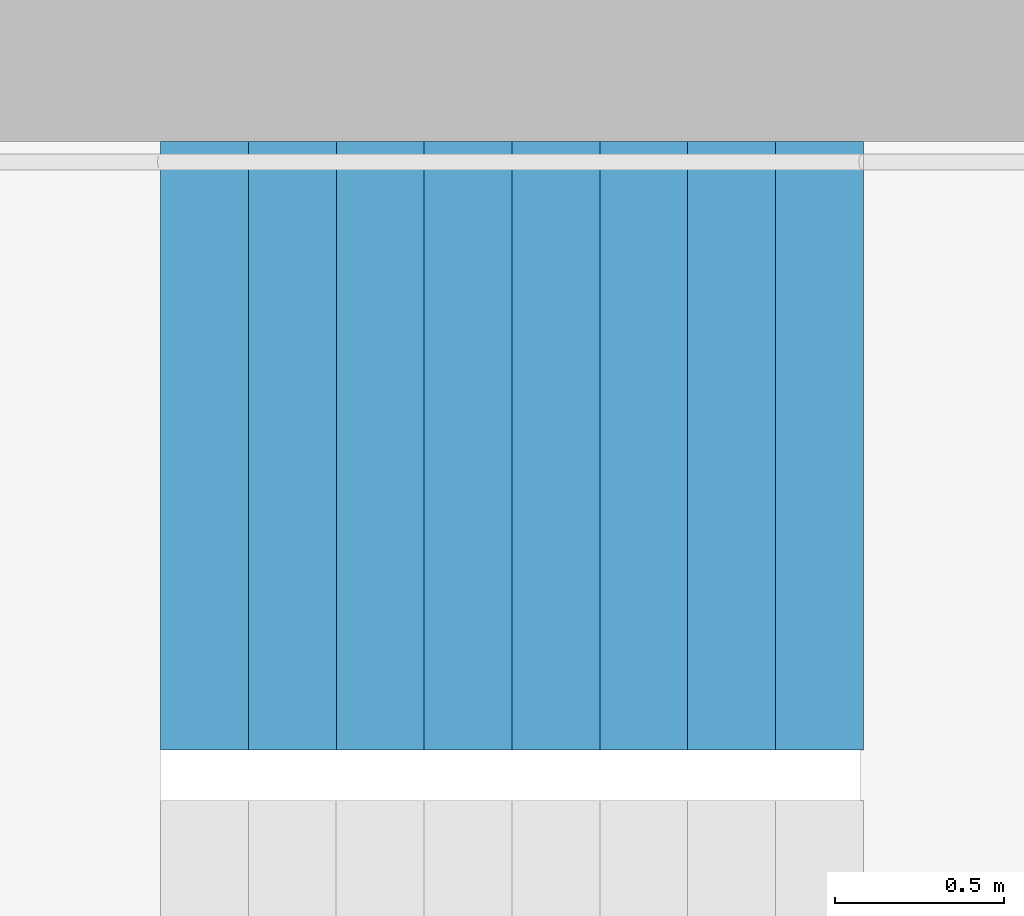
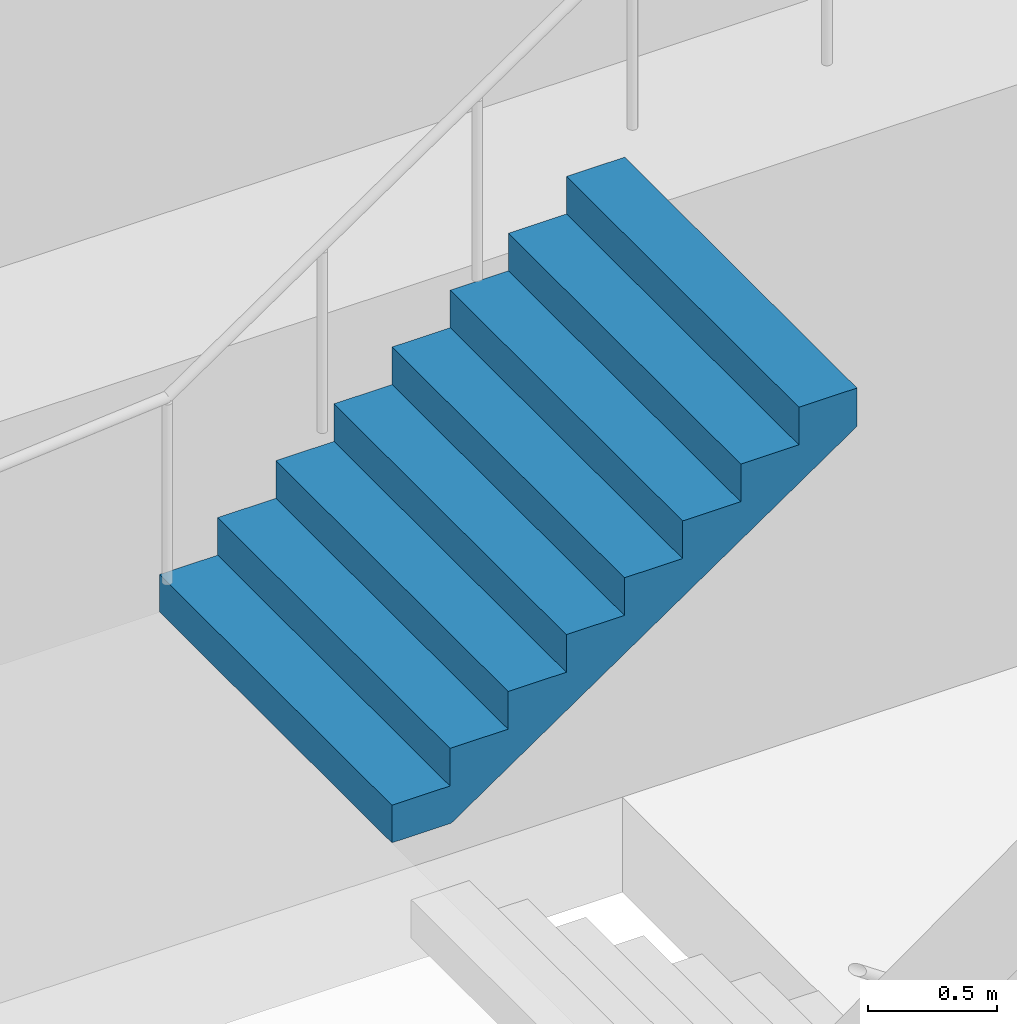
# One storey, part 24 of 29: 1 stair flight, 1 element without a shape of its own.
"""IFC4 building model written with IfcOpenShell, lengths in metres."""

from ifc_helpers import new_model, si_unit, direction, frame, origin, place, context, subcontext, project, spatial, triangles, material, type_object, element, aggregate, save


model = new_model("IFC4")

# Units and contexts
model_context = context("Model", 3, precision=1e-05, world=origin(), true_north=direction((0.0, 1.0)))
body_context = subcontext(model_context, "Body", "Model", "MODEL_VIEW")
ifc_project = project(units=[si_unit("LENGTHUNIT", "METRE"), si_unit("AREAUNIT", "SQUARE_METRE"), si_unit("VOLUMEUNIT", "CUBIC_METRE"), si_unit("PLANEANGLEUNIT", "RADIAN"), si_unit("MASSUNIT", "GRAM", prefix="KILO")], contexts=[model_context])

# Site, building, storey
site_placement = place(None, origin())
site = spatial("IfcSite", under=ifc_project, at=site_placement, CompositionType="ELEMENT")
building_placement = place(site_placement, origin())
building = spatial("IfcBuilding", under=site, at=building_placement, Name="Hakoniwa Tower and Hamabe Station Hall", CompositionType="ELEMENT")
storey_placement = place(building_placement, frame((0.0, 0.0, 205.800048828125)))
storey = spatial("IfcBuildingStorey", under=building, at=storey_placement, Name="L58", CompositionType="ELEMENT", Elevation=205.800048828125)

# Stair, stair flight
ifc_material_1 = material(Name="Concrete C40", Category="concrete")
stair_type = type_object("IfcStairType", Name="ESCAPE STAIR 1800", PredefinedType="HALF_TURN_STAIR", material=ifc_material_1)
stair_placement = place(storey_placement, origin())
stair = element("IfcStair", 1, at=stair_placement, inside=storey, type_object=stair_type, Name="Escape stair ST-3 L58", PredefinedType="HALF_TURN_STAIR")
ifc_material_2 = material(Name="Concrete C40", Category="concrete")
stair_flight_type = type_object("IfcStairFlightType", Name="STAIR FLIGHT 1800", PredefinedType="STRAIGHT", material=ifc_material_2)
stair_flight_placement = place(storey_placement, frame((22.320068359375, 6.60009765625, 1.599853515625), z_axis=(0.0, 0.0, 1.0), x_axis=(1.0, 0.0, 0.0)))
stair_flight = element("IfcStairFlight", 2, at=stair_flight_placement, type_object=stair_flight_type, Name="ST-3 flight 2", NumberOfRisers=9, NumberOfTreads=8, PredefinedType="STRAIGHT", RiserHeight=0.177777778, TreadLength=0.26, context=body_context, shape_type="Tessellation", body=[
    triangles([(0.0, 0.89990234375, 0.0), (0.260009765625, 0.89990234375, 0.0), (0.265625, 0.89990234375, 0.0), (0.52001953125, 0.89990234375, 0.174072265625), (0.780029296875, 0.89990234375, 0.351806640625), (1.0400390625, 0.89990234375, 0.529541015625), (1.300048828125, 0.89990234375, 0.707275390625), (1.56005859375, 0.89990234375, 0.885009765625), (1.820068359375, 0.89990234375, 1.062744140625), (2.080078125, 0.89990234375, 1.24072265625), (2.080078125, 0.89990234375, 1.422119140625), (1.820068359375, 0.89990234375, 1.422119140625), (1.820068359375, 0.89990234375, 1.244384765625), (1.56005859375, 0.89990234375, 1.244384765625), (1.56005859375, 0.89990234375, 1.066650390625), (1.300048828125, 0.89990234375, 1.066650390625), (1.300048828125, 0.89990234375, 0.888916015625), (1.0400390625, 0.89990234375, 0.888916015625), (1.0400390625, 0.89990234375, 0.711181640625), (0.780029296875, 0.89990234375, 0.711181640625), (0.780029296875, 0.89990234375, 0.533447265625), (0.52001953125, 0.89990234375, 0.533447265625), (0.52001953125, 0.89990234375, 0.35546875), (0.265625, 0.89990234375, 0.35546875), (0.260009765625, 0.89990234375, 0.35546875), (0.260009765625, 0.89990234375, 0.177734375), (0.0, 0.89990234375, 0.177734375), (0.0, 0.06005859375, 0.0), (0.260009765625, 0.06005859375, 0.0), (0.265625, 0.06005859375, 0.0), (0.52001953125, 0.06005859375, 0.174072265625), (0.780029296875, 0.06005859375, 0.351806640625), (1.0400390625, 0.06005859375, 0.529541015625), (1.300048828125, 0.06005859375, 0.707275390625), (1.56005859375, 0.06005859375, 0.885009765625), (1.820068359375, 0.06005859375, 1.062744140625), (2.080078125, 0.06005859375, 1.24072265625), (2.080078125, 0.06005859375, 1.422119140625), (1.820068359375, 0.06005859375, 1.422119140625), (1.820068359375, 0.06005859375, 1.244384765625), (1.56005859375, 0.06005859375, 1.244384765625), (1.56005859375, 0.06005859375, 1.066650390625), (1.300048828125, 0.06005859375, 1.066650390625), (1.300048828125, 0.06005859375, 0.888916015625), (1.0400390625, 0.06005859375, 0.888916015625), (1.0400390625, 0.06005859375, 0.711181640625), (0.780029296875, 0.06005859375, 0.711181640625), (0.780029296875, 0.06005859375, 0.533447265625), (0.52001953125, 0.06005859375, 0.533447265625), (0.52001953125, 0.06005859375, 0.35546875), (0.265625, 0.06005859375, 0.35546875), (0.260009765625, 0.06005859375, 0.35546875), (0.260009765625, 0.06005859375, 0.177734375), (0.0, 0.06005859375, 0.177734375), (0.0, 0.04296875, 0.0), (0.260009765625, 0.04296875, 0.0), (0.265625, 0.04296875, 0.0), (0.52001953125, 0.04296875, 0.174072265625), (0.780029296875, 0.04296875, 0.351806640625), (1.0400390625, 0.04296875, 0.529541015625), (1.300048828125, 0.04296875, 0.707275390625), (1.56005859375, 0.04296875, 0.885009765625), (1.820068359375, 0.04296875, 1.062744140625), (2.080078125, 0.04296875, 1.24072265625), (2.080078125, 0.04296875, 1.422119140625), (1.820068359375, 0.04296875, 1.422119140625), (1.820068359375, 0.04296875, 1.244384765625), (1.56005859375, 0.04296875, 1.244384765625), (1.56005859375, 0.04296875, 1.066650390625), (1.300048828125, 0.04296875, 1.066650390625), (1.300048828125, 0.04296875, 0.888916015625), (1.0400390625, 0.04296875, 0.888916015625), (1.0400390625, 0.04296875, 0.711181640625), (0.780029296875, 0.04296875, 0.711181640625), (0.780029296875, 0.04296875, 0.533447265625), (0.52001953125, 0.04296875, 0.533447265625), (0.52001953125, 0.04296875, 0.35546875), (0.265625, 0.04296875, 0.35546875), (0.260009765625, 0.04296875, 0.35546875), (0.260009765625, 0.04296875, 0.177734375), (0.0, 0.04296875, 0.177734375), (0.0, 0.025634765625, 0.0), (0.260009765625, 0.025634765625, 0.0), (0.265625, 0.025634765625, 0.0), (0.52001953125, 0.025634765625, 0.174072265625), (0.780029296875, 0.025634765625, 0.351806640625), (1.0400390625, 0.025634765625, 0.529541015625), (1.300048828125, 0.025634765625, 0.707275390625), (1.56005859375, 0.025634765625, 0.885009765625), (1.820068359375, 0.025634765625, 1.062744140625), (2.080078125, 0.025634765625, 1.24072265625), (2.080078125, 0.025634765625, 1.422119140625), (1.820068359375, 0.025634765625, 1.422119140625), (1.820068359375, 0.025634765625, 1.244384765625), (1.56005859375, 0.025634765625, 1.244384765625), (1.56005859375, 0.025634765625, 1.066650390625), (1.300048828125, 0.025634765625, 1.066650390625), (1.300048828125, 0.025634765625, 0.888916015625), (1.0400390625, 0.025634765625, 0.888916015625), (1.0400390625, 0.025634765625, 0.711181640625), (0.780029296875, 0.025634765625, 0.711181640625), (0.780029296875, 0.025634765625, 0.533447265625), (0.52001953125, 0.025634765625, 0.533447265625), (0.52001953125, 0.025634765625, 0.35546875), (0.265625, 0.025634765625, 0.35546875), (0.260009765625, 0.025634765625, 0.35546875), (0.260009765625, 0.025634765625, 0.177734375), (0.0, 0.025634765625, 0.177734375), (0.0, 0.008544921875, 0.0), (0.260009765625, 0.008544921875, 0.0), (0.265625, 0.008544921875, 0.0), (0.52001953125, 0.008544921875, 0.174072265625), (0.780029296875, 0.008544921875, 0.351806640625), (1.0400390625, 0.008544921875, 0.529541015625), (1.300048828125, 0.008544921875, 0.707275390625), (1.56005859375, 0.008544921875, 0.885009765625), (1.820068359375, 0.008544921875, 1.062744140625), (2.080078125, 0.008544921875, 1.24072265625), (2.080078125, 0.008544921875, 1.422119140625), (1.820068359375, 0.008544921875, 1.422119140625), (1.820068359375, 0.008544921875, 1.244384765625), (1.56005859375, 0.008544921875, 1.244384765625), (1.56005859375, 0.008544921875, 1.066650390625), (1.300048828125, 0.008544921875, 1.066650390625), (1.300048828125, 0.008544921875, 0.888916015625), (1.0400390625, 0.008544921875, 0.888916015625), (1.0400390625, 0.008544921875, 0.711181640625), (0.780029296875, 0.008544921875, 0.711181640625), (0.780029296875, 0.008544921875, 0.533447265625), (0.52001953125, 0.008544921875, 0.533447265625), (0.52001953125, 0.008544921875, 0.35546875), (0.265625, 0.008544921875, 0.35546875), (0.260009765625, 0.008544921875, 0.35546875), (0.260009765625, 0.008544921875, 0.177734375), (0.0, 0.008544921875, 0.177734375), (0.0, -0.008544921875, 0.0), (0.260009765625, -0.008544921875, 0.0), (0.265625, -0.008544921875, 0.0), (0.52001953125, -0.008544921875, 0.174072265625), (0.780029296875, -0.008544921875, 0.351806640625), (1.0400390625, -0.008544921875, 0.529541015625), (1.300048828125, -0.008544921875, 0.707275390625), (1.56005859375, -0.008544921875, 0.885009765625), (1.820068359375, -0.008544921875, 1.062744140625), (2.080078125, -0.008544921875, 1.24072265625), (2.080078125, -0.008544921875, 1.422119140625), (1.820068359375, -0.008544921875, 1.422119140625), (1.820068359375, -0.008544921875, 1.244384765625), (1.56005859375, -0.008544921875, 1.244384765625), (1.56005859375, -0.008544921875, 1.066650390625), (1.300048828125, -0.008544921875, 1.066650390625), (1.300048828125, -0.008544921875, 0.888916015625), (1.0400390625, -0.008544921875, 0.888916015625), (1.0400390625, -0.008544921875, 0.711181640625), (0.780029296875, -0.008544921875, 0.711181640625), (0.780029296875, -0.008544921875, 0.533447265625), (0.52001953125, -0.008544921875, 0.533447265625), (0.52001953125, -0.008544921875, 0.35546875), (0.265625, -0.008544921875, 0.35546875), (0.260009765625, -0.008544921875, 0.35546875), (0.260009765625, -0.008544921875, 0.177734375), (0.0, -0.008544921875, 0.177734375), (0.0, -0.025634765625, 0.0), (0.260009765625, -0.025634765625, 0.0), (0.265625, -0.025634765625, 0.0), (0.52001953125, -0.025634765625, 0.174072265625), (0.780029296875, -0.025634765625, 0.351806640625), (1.0400390625, -0.025634765625, 0.529541015625), (1.300048828125, -0.025634765625, 0.707275390625), (1.56005859375, -0.025634765625, 0.885009765625), (1.820068359375, -0.025634765625, 1.062744140625), (2.080078125, -0.025634765625, 1.24072265625), (2.080078125, -0.025634765625, 1.422119140625), (1.820068359375, -0.025634765625, 1.422119140625), (1.820068359375, -0.025634765625, 1.244384765625), (1.56005859375, -0.025634765625, 1.244384765625), (1.56005859375, -0.025634765625, 1.066650390625), (1.300048828125, -0.025634765625, 1.066650390625), (1.300048828125, -0.025634765625, 0.888916015625), (1.0400390625, -0.025634765625, 0.888916015625), (1.0400390625, -0.025634765625, 0.711181640625), (0.780029296875, -0.025634765625, 0.711181640625), (0.780029296875, -0.025634765625, 0.533447265625), (0.52001953125, -0.025634765625, 0.533447265625), (0.52001953125, -0.025634765625, 0.35546875), (0.265625, -0.025634765625, 0.35546875), (0.260009765625, -0.025634765625, 0.35546875), (0.260009765625, -0.025634765625, 0.177734375), (0.0, -0.025634765625, 0.177734375), (0.0, -0.04296875, 0.0), (0.260009765625, -0.04296875, 0.0), (0.265625, -0.04296875, 0.0), (0.52001953125, -0.04296875, 0.174072265625), (0.780029296875, -0.04296875, 0.351806640625), (1.0400390625, -0.04296875, 0.529541015625), (1.300048828125, -0.04296875, 0.707275390625), (1.56005859375, -0.04296875, 0.885009765625), (1.820068359375, -0.04296875, 1.062744140625), (2.080078125, -0.04296875, 1.24072265625), (2.080078125, -0.04296875, 1.422119140625), (1.820068359375, -0.04296875, 1.422119140625), (1.820068359375, -0.04296875, 1.244384765625), (1.56005859375, -0.04296875, 1.244384765625), (1.56005859375, -0.04296875, 1.066650390625), (1.300048828125, -0.04296875, 1.066650390625), (1.300048828125, -0.04296875, 0.888916015625), (1.0400390625, -0.04296875, 0.888916015625), (1.0400390625, -0.04296875, 0.711181640625), (0.780029296875, -0.04296875, 0.711181640625), (0.780029296875, -0.04296875, 0.533447265625), (0.52001953125, -0.04296875, 0.533447265625), (0.52001953125, -0.04296875, 0.35546875), (0.265625, -0.04296875, 0.35546875), (0.260009765625, -0.04296875, 0.35546875), (0.260009765625, -0.04296875, 0.177734375), (0.0, -0.04296875, 0.177734375), (0.0, -0.06005859375, 0.0), (0.260009765625, -0.06005859375, 0.0), (0.265625, -0.06005859375, 0.0), (0.52001953125, -0.06005859375, 0.174072265625), (0.780029296875, -0.06005859375, 0.351806640625), (1.0400390625, -0.06005859375, 0.529541015625), (1.300048828125, -0.06005859375, 0.707275390625), (1.56005859375, -0.06005859375, 0.885009765625), (1.820068359375, -0.06005859375, 1.062744140625), (2.080078125, -0.06005859375, 1.24072265625), (2.080078125, -0.06005859375, 1.422119140625), (1.820068359375, -0.06005859375, 1.422119140625), (1.820068359375, -0.06005859375, 1.244384765625), (1.56005859375, -0.06005859375, 1.244384765625), (1.56005859375, -0.06005859375, 1.066650390625), (1.300048828125, -0.06005859375, 1.066650390625), (1.300048828125, -0.06005859375, 0.888916015625), (1.0400390625, -0.06005859375, 0.888916015625), (1.0400390625, -0.06005859375, 0.711181640625), (0.780029296875, -0.06005859375, 0.711181640625), (0.780029296875, -0.06005859375, 0.533447265625), (0.52001953125, -0.06005859375, 0.533447265625), (0.52001953125, -0.06005859375, 0.35546875), (0.265625, -0.06005859375, 0.35546875), (0.260009765625, -0.06005859375, 0.35546875), (0.260009765625, -0.06005859375, 0.177734375), (0.0, -0.06005859375, 0.177734375), (0.0, -0.89990234375, 0.0), (0.260009765625, -0.89990234375, 0.0), (0.265625, -0.89990234375, 0.0), (0.52001953125, -0.89990234375, 0.174072265625), (0.780029296875, -0.89990234375, 0.351806640625), (1.0400390625, -0.89990234375, 0.529541015625), (1.300048828125, -0.89990234375, 0.707275390625), (1.56005859375, -0.89990234375, 0.885009765625), (1.820068359375, -0.89990234375, 1.062744140625), (2.080078125, -0.89990234375, 1.24072265625), (2.080078125, -0.89990234375, 1.422119140625), (1.820068359375, -0.89990234375, 1.422119140625), (1.820068359375, -0.89990234375, 1.244384765625), (1.56005859375, -0.89990234375, 1.244384765625), (1.56005859375, -0.89990234375, 1.066650390625), (1.300048828125, -0.89990234375, 1.066650390625), (1.300048828125, -0.89990234375, 0.888916015625), (1.0400390625, -0.89990234375, 0.888916015625), (1.0400390625, -0.89990234375, 0.711181640625), (0.780029296875, -0.89990234375, 0.711181640625), (0.780029296875, -0.89990234375, 0.533447265625), (0.52001953125, -0.89990234375, 0.533447265625), (0.52001953125, -0.89990234375, 0.35546875), (0.265625, -0.89990234375, 0.35546875), (0.260009765625, -0.89990234375, 0.35546875), (0.260009765625, -0.89990234375, 0.177734375), (0.0, -0.89990234375, 0.177734375)], [[2, 27, 26], [245, 269, 270], [2, 1, 27], [245, 270, 244], [3, 25, 24], [246, 267, 268], [3, 26, 25], [246, 268, 269], [3, 2, 26], [246, 269, 245], [4, 24, 23], [247, 266, 267], [4, 3, 24], [247, 267, 246], [5, 22, 21], [248, 264, 265], [5, 23, 22], [248, 265, 266], [5, 4, 23], [248, 266, 247], [6, 20, 19], [249, 262, 263], [6, 21, 20], [249, 263, 264], [6, 5, 21], [249, 264, 248], [7, 18, 17], [250, 260, 261], [7, 19, 18], [250, 261, 262], [7, 6, 19], [250, 262, 249], [8, 16, 15], [251, 258, 259], [8, 17, 16], [251, 259, 260], [8, 7, 17], [251, 260, 250], [9, 14, 13], [252, 256, 257], [9, 15, 14], [252, 257, 258], [9, 8, 15], [252, 258, 251], [10, 12, 11], [253, 254, 255], [10, 13, 12], [253, 255, 256], [10, 9, 13], [253, 256, 252], [1, 2, 29], [1, 29, 28], [28, 29, 56], [28, 56, 55], [55, 56, 83], [55, 83, 82], [82, 83, 110], [82, 110, 109], [109, 110, 137], [109, 137, 136], [136, 137, 164], [136, 164, 163], [163, 164, 191], [163, 191, 190], [190, 191, 218], [190, 218, 217], [217, 218, 245], [217, 245, 244], [2, 3, 30], [2, 30, 29], [29, 30, 57], [29, 57, 56], [56, 57, 84], [56, 84, 83], [83, 84, 111], [83, 111, 110], [110, 111, 138], [110, 138, 137], [137, 138, 165], [137, 165, 164], [164, 165, 192], [164, 192, 191], [191, 192, 219], [191, 219, 218], [218, 219, 246], [218, 246, 245], [3, 4, 31], [3, 31, 30], [30, 31, 58], [30, 58, 57], [57, 58, 85], [57, 85, 84], [84, 85, 112], [84, 112, 111], [111, 112, 139], [111, 139, 138], [138, 139, 166], [138, 166, 165], [165, 166, 193], [165, 193, 192], [192, 193, 220], [192, 220, 219], [219, 220, 247], [219, 247, 246], [4, 5, 32], [4, 32, 31], [31, 32, 59], [31, 59, 58], [58, 59, 86], [58, 86, 85], [85, 86, 113], [85, 113, 112], [112, 113, 140], [112, 140, 139], [139, 140, 167], [139, 167, 166], [166, 167, 194], [166, 194, 193], [193, 194, 221], [193, 221, 220], [220, 221, 248], [220, 248, 247], [5, 6, 33], [5, 33, 32], [32, 33, 60], [32, 60, 59], [59, 60, 87], [59, 87, 86], [86, 87, 114], [86, 114, 113], [113, 114, 141], [113, 141, 140], [140, 141, 168], [140, 168, 167], [167, 168, 195], [167, 195, 194], [194, 195, 222], [194, 222, 221], [221, 222, 249], [221, 249, 248], [6, 7, 34], [6, 34, 33], [33, 34, 61], [33, 61, 60], [60, 61, 88], [60, 88, 87], [87, 88, 115], [87, 115, 114], [114, 115, 142], [114, 142, 141], [141, 142, 169], [141, 169, 168], [168, 169, 196], [168, 196, 195], [195, 196, 223], [195, 223, 222], [222, 223, 250], [222, 250, 249], [7, 8, 35], [7, 35, 34], [34, 35, 62], [34, 62, 61], [61, 62, 89], [61, 89, 88], [88, 89, 116], [88, 116, 115], [115, 116, 143], [115, 143, 142], [142, 143, 170], [142, 170, 169], [169, 170, 197], [169, 197, 196], [196, 197, 224], [196, 224, 223], [223, 224, 251], [223, 251, 250], [8, 9, 36], [8, 36, 35], [35, 36, 63], [35, 63, 62], [62, 63, 90], [62, 90, 89], [89, 90, 117], [89, 117, 116], [116, 117, 144], [116, 144, 143], [143, 144, 171], [143, 171, 170], [170, 171, 198], [170, 198, 197], [197, 198, 225], [197, 225, 224], [224, 225, 252], [224, 252, 251], [9, 10, 37], [9, 37, 36], [36, 37, 64], [36, 64, 63], [63, 64, 91], [63, 91, 90], [90, 91, 118], [90, 118, 117], [117, 118, 145], [117, 145, 144], [144, 145, 172], [144, 172, 171], [171, 172, 199], [171, 199, 198], [198, 199, 226], [198, 226, 225], [225, 226, 253], [225, 253, 252], [10, 11, 38], [10, 38, 37], [37, 38, 65], [37, 65, 64], [64, 65, 92], [64, 92, 91], [91, 92, 119], [91, 119, 118], [118, 119, 146], [118, 146, 145], [145, 146, 173], [145, 173, 172], [172, 173, 200], [172, 200, 199], [199, 200, 227], [199, 227, 226], [226, 227, 254], [226, 254, 253], [11, 12, 39], [11, 39, 38], [38, 39, 66], [38, 66, 65], [65, 66, 93], [65, 93, 92], [92, 93, 120], [92, 120, 119], [119, 120, 147], [119, 147, 146], [146, 147, 174], [146, 174, 173], [173, 174, 201], [173, 201, 200], [200, 201, 228], [200, 228, 227], [227, 228, 255], [227, 255, 254], [12, 13, 40], [12, 40, 39], [39, 40, 67], [39, 67, 66], [66, 67, 94], [66, 94, 93], [93, 94, 121], [93, 121, 120], [120, 121, 148], [120, 148, 147], [147, 148, 175], [147, 175, 174], [174, 175, 202], [174, 202, 201], [201, 202, 229], [201, 229, 228], [228, 229, 256], [228, 256, 255], [13, 14, 41], [13, 41, 40], [40, 41, 68], [40, 68, 67], [67, 68, 95], [67, 95, 94], [94, 95, 122], [94, 122, 121], [121, 122, 149], [121, 149, 148], [148, 149, 176], [148, 176, 175], [175, 176, 203], [175, 203, 202], [202, 203, 230], [202, 230, 229], [229, 230, 257], [229, 257, 256], [14, 15, 42], [14, 42, 41], [41, 42, 69], [41, 69, 68], [68, 69, 96], [68, 96, 95], [95, 96, 123], [95, 123, 122], [122, 123, 150], [122, 150, 149], [149, 150, 177], [149, 177, 176], [176, 177, 204], [176, 204, 203], [203, 204, 231], [203, 231, 230], [230, 231, 258], [230, 258, 257], [15, 16, 43], [15, 43, 42], [42, 43, 70], [42, 70, 69], [69, 70, 97], [69, 97, 96], [96, 97, 124], [96, 124, 123], [123, 124, 151], [123, 151, 150], [150, 151, 178], [150, 178, 177], [177, 178, 205], [177, 205, 204], [204, 205, 232], [204, 232, 231], [231, 232, 259], [231, 259, 258], [16, 17, 44], [16, 44, 43], [43, 44, 71], [43, 71, 70], [70, 71, 98], [70, 98, 97], [97, 98, 125], [97, 125, 124], [124, 125, 152], [124, 152, 151], [151, 152, 179], [151, 179, 178], [178, 179, 206], [178, 206, 205], [205, 206, 233], [205, 233, 232], [232, 233, 260], [232, 260, 259], [17, 18, 45], [17, 45, 44], [44, 45, 72], [44, 72, 71], [71, 72, 99], [71, 99, 98], [98, 99, 126], [98, 126, 125], [125, 126, 153], [125, 153, 152], [152, 153, 180], [152, 180, 179], [179, 180, 207], [179, 207, 206], [206, 207, 234], [206, 234, 233], [233, 234, 261], [233, 261, 260], [18, 19, 46], [18, 46, 45], [45, 46, 73], [45, 73, 72], [72, 73, 100], [72, 100, 99], [99, 100, 127], [99, 127, 126], [126, 127, 154], [126, 154, 153], [153, 154, 181], [153, 181, 180], [180, 181, 208], [180, 208, 207], [207, 208, 235], [207, 235, 234], [234, 235, 262], [234, 262, 261], [19, 20, 47], [19, 47, 46], [46, 47, 74], [46, 74, 73], [73, 74, 101], [73, 101, 100], [100, 101, 128], [100, 128, 127], [127, 128, 155], [127, 155, 154], [154, 155, 182], [154, 182, 181], [181, 182, 209], [181, 209, 208], [208, 209, 236], [208, 236, 235], [235, 236, 263], [235, 263, 262], [20, 21, 48], [20, 48, 47], [47, 48, 75], [47, 75, 74], [74, 75, 102], [74, 102, 101], [101, 102, 129], [101, 129, 128], [128, 129, 156], [128, 156, 155], [155, 156, 183], [155, 183, 182], [182, 183, 210], [182, 210, 209], [209, 210, 237], [209, 237, 236], [236, 237, 264], [236, 264, 263], [21, 22, 49], [21, 49, 48], [48, 49, 76], [48, 76, 75], [75, 76, 103], [75, 103, 102], [102, 103, 130], [102, 130, 129], [129, 130, 157], [129, 157, 156], [156, 157, 184], [156, 184, 183], [183, 184, 211], [183, 211, 210], [210, 211, 238], [210, 238, 237], [237, 238, 265], [237, 265, 264], [22, 23, 50], [22, 50, 49], [49, 50, 77], [49, 77, 76], [76, 77, 104], [76, 104, 103], [103, 104, 131], [103, 131, 130], [130, 131, 158], [130, 158, 157], [157, 158, 185], [157, 185, 184], [184, 185, 212], [184, 212, 211], [211, 212, 239], [211, 239, 238], [238, 239, 266], [238, 266, 265], [23, 24, 51], [23, 51, 50], [50, 51, 78], [50, 78, 77], [77, 78, 105], [77, 105, 104], [104, 105, 132], [104, 132, 131], [131, 132, 159], [131, 159, 158], [158, 159, 186], [158, 186, 185], [185, 186, 213], [185, 213, 212], [212, 213, 240], [212, 240, 239], [239, 240, 267], [239, 267, 266], [24, 25, 52], [24, 52, 51], [51, 52, 79], [51, 79, 78], [78, 79, 106], [78, 106, 105], [105, 106, 133], [105, 133, 132], [132, 133, 160], [132, 160, 159], [159, 160, 187], [159, 187, 186], [186, 187, 214], [186, 214, 213], [213, 214, 241], [213, 241, 240], [240, 241, 268], [240, 268, 267], [25, 26, 53], [25, 53, 52], [52, 53, 80], [52, 80, 79], [79, 80, 107], [79, 107, 106], [106, 107, 134], [106, 134, 133], [133, 134, 161], [133, 161, 160], [160, 161, 188], [160, 188, 187], [187, 188, 215], [187, 215, 214], [214, 215, 242], [214, 242, 241], [241, 242, 269], [241, 269, 268], [26, 27, 54], [26, 54, 53], [53, 54, 81], [53, 81, 80], [80, 81, 108], [80, 108, 107], [107, 108, 135], [107, 135, 134], [134, 135, 162], [134, 162, 161], [161, 162, 189], [161, 189, 188], [188, 189, 216], [188, 216, 215], [215, 216, 243], [215, 243, 242], [242, 243, 270], [242, 270, 269], [27, 1, 28], [27, 28, 54], [54, 28, 55], [54, 55, 81], [81, 55, 82], [81, 82, 108], [108, 82, 109], [108, 109, 135], [135, 109, 136], [135, 136, 162], [162, 136, 163], [162, 163, 189], [189, 163, 190], [189, 190, 216], [216, 190, 217], [216, 217, 243], [243, 217, 244], [243, 244, 270]], closed=True),
])
aggregate(stair, [stair_flight])

save(model, "model.ifc")
